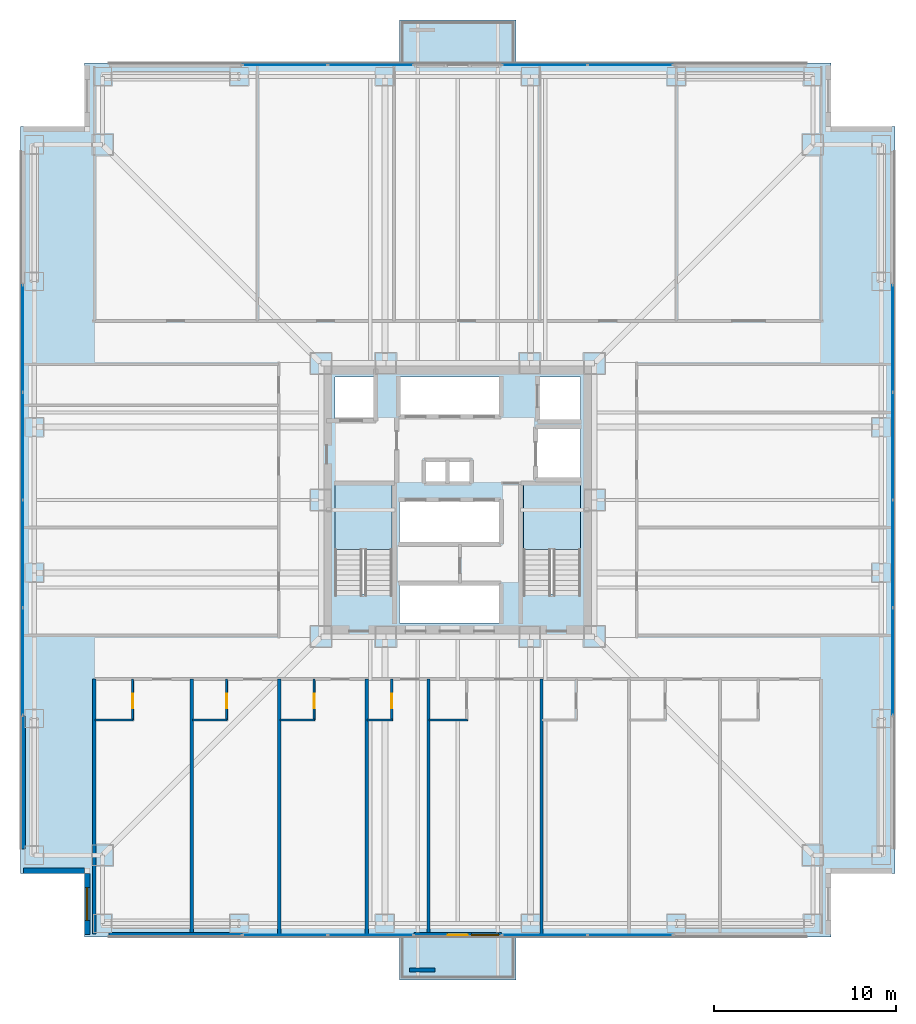
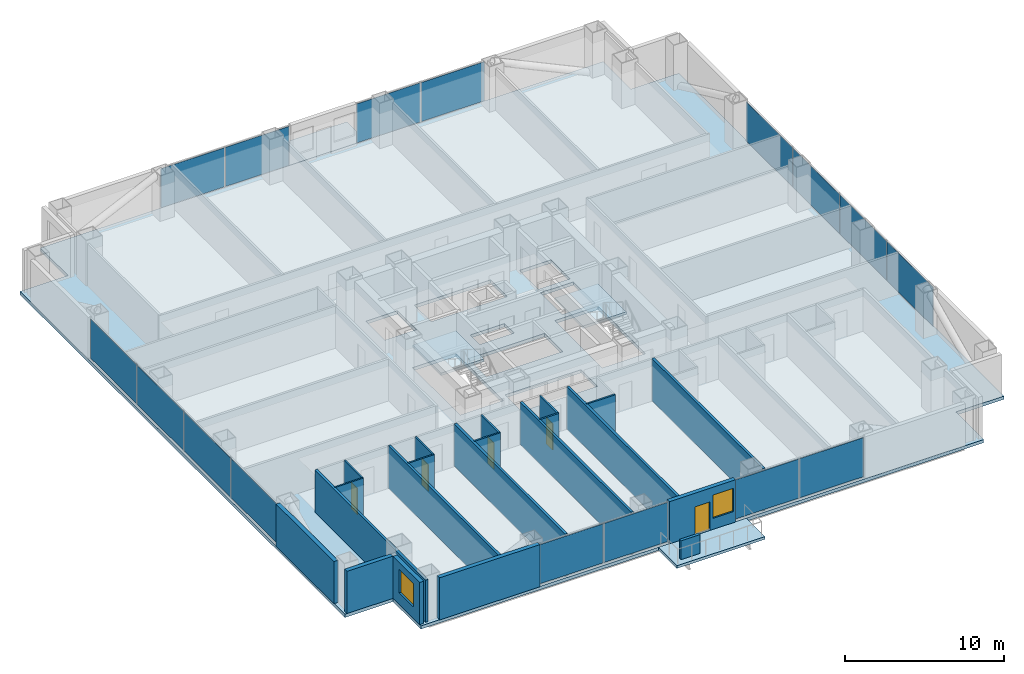
# One storey, part 10 of 16: 21 walls, 16 plates, 5 doors, 5 slabs, 2 windows, 7 openings, 8 elements without a shape of their own.
"""IFC4 building model written with IfcOpenShell, lengths in metres."""

from ifc_helpers import new_model, si_unit, direction, frame, frame_2d, origin, origin_2d, place, context, subcontext, project, spatial, polyline, rectangle, outline, extrude, material, layer, layer_set, type_object, element, fill, aggregate, save


model = new_model("IFC4")

# Units and contexts
model_context = context("Model", 3, precision=1e-05, world=origin(), true_north=direction((0.0, 1.0)))
body_context = subcontext(model_context, "Body", "Model", "MODEL_VIEW")
ifc_project = project(units=[si_unit("LENGTHUNIT", "METRE"), si_unit("AREAUNIT", "SQUARE_METRE"), si_unit("VOLUMEUNIT", "CUBIC_METRE"), si_unit("PLANEANGLEUNIT", "RADIAN"), si_unit("MASSUNIT", "GRAM", prefix="KILO")], contexts=[model_context])

# Site, building, storey
site_placement = place(None, origin())
site = spatial("IfcSite", under=ifc_project, at=site_placement, CompositionType="ELEMENT")
building_placement = place(site_placement, origin())
building = spatial("IfcBuilding", under=site, at=building_placement, Name="Trevonay Congress Spire", CompositionType="ELEMENT")
storey_placement = place(building_placement, frame((0.0, 0.0, 65.5)))
storey = spatial("IfcBuildingStorey", under=building, at=storey_placement, Name="L16", CompositionType="ELEMENT", Elevation=65.5)

# Curtain wall, plates
ifc_material_1 = material(Name="Pale Anodised Aluminium EN AW-6063-T6", Category="aluminium")
ifc_layer_1 = layer(ifc_material_1, 0.179931640625, Name="Pale Anodised Aluminium EN AW-6063-T6")
ifc_layer_set_1 = layer_set([ifc_layer_1], Name="Pale Anodised Aluminium EN AW-6063-T6")
curtain_wall_type = type_object("IfcCurtainWallType", Name="CW-SYS02-HOTEL-PALE-METAL", PredefinedType="NOTDEFINED", material=ifc_layer_set_1)
curtain_wall_1_placement = place(storey_placement, origin())
curtain_wall_1 = element("IfcCurtainWall", 1, at=curtain_wall_1_placement, inside=storey, type_object=curtain_wall_type, Name="L16 SA unitised curtain wall", PredefinedType="NOTDEFINED")
ifc_material_2 = material(Name="Insulated Low-E Vision Glass IGU", Category="glass")
ifc_layer_2 = layer(ifc_material_2, 0.035888671875, Name="Insulated Low-E Vision Glass IGU")
ifc_layer_set_2 = layer_set([ifc_layer_2], Name="Insulated Low-E Vision Glass IGU")
plate_type = type_object("IfcPlateType", Name="CW-PANEL-IGU36-SILVER", PredefinedType="CURTAIN_PANEL", material=ifc_layer_set_2)
plate_1_placement = place(storey_placement, frame((-9.472412109375, -23.8798828125, 0.1201171875), z_axis=(0.0, 0.0, 1.0), x_axis=(1.0, 0.0, 0.0)))
plate_1 = element("IfcPlate", 2, at=plate_1_placement, type_object=plate_type, Name="CW02 panel 1.1", PredefinedType="CURTAIN_PANEL", context=body_context, shape_type="SweptSolid", body=[
    extrude(rectangle(XDim=4.635009765625, YDim=0.035888671875, at=origin_2d()), origin(), (0.0, 0.0, 1.0), 3.010009765625),
])
plate_2_placement = place(storey_placement, frame((-4.777587890625, -23.8798828125, 0.1201171875), z_axis=(0.0, 0.0, 1.0), x_axis=(1.0, 0.0, 0.0)))
plate_2 = element("IfcPlate", 3, at=plate_2_placement, type_object=plate_type, Name="CW02 panel 2.1", PredefinedType="CURTAIN_PANEL", context=body_context, shape_type="SweptSolid", body=[
    extrude(rectangle(XDim=4.635009765625, YDim=0.035888671875, at=origin_2d()), origin(), (0.0, 0.0, 1.0), 3.010009765625),
])
aggregate(curtain_wall_1, [plate_1, plate_2])

curtain_wall_2_placement = place(storey_placement, origin())
curtain_wall_2 = element("IfcCurtainWall", 4, at=curtain_wall_2_placement, inside=storey, type_object=curtain_wall_type, Name="L16 SB unitised curtain wall", PredefinedType="NOTDEFINED")
plate_3_placement = place(storey_placement, frame((4.777587890625, -23.8798828125, 0.1201171875), z_axis=(0.0, 0.0, 1.0), x_axis=(1.0, 0.0, 0.0)))
plate_3 = element("IfcPlate", 5, at=plate_3_placement, type_object=plate_type, Name="CW02 panel 1.1", PredefinedType="CURTAIN_PANEL", context=body_context, shape_type="SweptSolid", body=[
    extrude(rectangle(XDim=4.635009765625, YDim=0.035888671875, at=origin_2d()), origin(), (0.0, 0.0, 1.0), 3.010009765625),
])
plate_4_placement = place(storey_placement, frame((9.472412109375, -23.8798828125, 0.1201171875), z_axis=(0.0, 0.0, 1.0), x_axis=(1.0, 0.0, 0.0)))
plate_4 = element("IfcPlate", 6, at=plate_4_placement, type_object=plate_type, Name="CW02 panel 2.1", PredefinedType="CURTAIN_PANEL", context=body_context, shape_type="SweptSolid", body=[
    extrude(rectangle(XDim=4.635009765625, YDim=0.035888671875, at=origin_2d()), origin(), (0.0, 0.0, 1.0), 3.010009765625),
])
aggregate(curtain_wall_2, [plate_3, plate_4])

curtain_wall_3_placement = place(storey_placement, origin())
curtain_wall_3 = element("IfcCurtainWall", 7, at=curtain_wall_3_placement, inside=storey, type_object=curtain_wall_type, Name="L16 NA unitised curtain wall", PredefinedType="NOTDEFINED")
plate_5_placement = place(storey_placement, frame((-9.472412109375, 23.8798828125, 0.1201171875), z_axis=(0.0, 0.0, 1.0), x_axis=(1.0, 0.0, 0.0)))
plate_5 = element("IfcPlate", 8, at=plate_5_placement, type_object=plate_type, Name="CW02 panel 1.1", PredefinedType="CURTAIN_PANEL", context=body_context, shape_type="SweptSolid", body=[
    extrude(rectangle(XDim=4.635009765625, YDim=0.035888671875, at=origin_2d()), origin(), (0.0, 0.0, 1.0), 3.010009765625),
])
plate_6_placement = place(storey_placement, frame((-4.777587890625, 23.8798828125, 0.1201171875), z_axis=(0.0, 0.0, 1.0), x_axis=(1.0, 0.0, 0.0)))
plate_6 = element("IfcPlate", 9, at=plate_6_placement, type_object=plate_type, Name="CW02 panel 2.1", PredefinedType="CURTAIN_PANEL", context=body_context, shape_type="SweptSolid", body=[
    extrude(rectangle(XDim=4.635009765625, YDim=0.035888671875, at=origin_2d()), origin(), (0.0, 0.0, 1.0), 3.010009765625),
])
aggregate(curtain_wall_3, [plate_5, plate_6])

curtain_wall_4_placement = place(storey_placement, origin())
curtain_wall_4 = element("IfcCurtainWall", 10, at=curtain_wall_4_placement, inside=storey, type_object=curtain_wall_type, Name="L16 NB unitised curtain wall", PredefinedType="NOTDEFINED")
plate_7_placement = place(storey_placement, frame((4.777587890625, 23.8798828125, 0.1201171875), z_axis=(0.0, 0.0, 1.0), x_axis=(1.0, 0.0, 0.0)))
plate_7 = element("IfcPlate", 11, at=plate_7_placement, type_object=plate_type, Name="CW02 panel 1.1", PredefinedType="CURTAIN_PANEL", context=body_context, shape_type="SweptSolid", body=[
    extrude(rectangle(XDim=4.635009765625, YDim=0.035888671875, at=origin_2d()), origin(), (0.0, 0.0, 1.0), 3.010009765625),
])
plate_8_placement = place(storey_placement, frame((9.472412109375, 23.8798828125, 0.1201171875), z_axis=(0.0, 0.0, 1.0), x_axis=(1.0, 0.0, 0.0)))
plate_8 = element("IfcPlate", 12, at=plate_8_placement, type_object=plate_type, Name="CW02 panel 2.1", PredefinedType="CURTAIN_PANEL", context=body_context, shape_type="SweptSolid", body=[
    extrude(rectangle(XDim=4.635009765625, YDim=0.035888671875, at=origin_2d()), origin(), (0.0, 0.0, 1.0), 3.010009765625),
])
aggregate(curtain_wall_4, [plate_7, plate_8])

curtain_wall_5_placement = place(storey_placement, origin())
curtain_wall_5 = element("IfcCurtainWall", 13, at=curtain_wall_5_placement, inside=storey, type_object=curtain_wall_type, Name="L16 W unitised curtain wall", PredefinedType="NOTDEFINED")
plate_9_placement = place(storey_placement, frame((-23.8798828125, -8.87255859375, 0.1201171875), z_axis=(0.0, 0.0, 1.0), x_axis=(0.0, 1.0, 0.0)))
plate_9 = element("IfcPlate", 14, at=plate_9_placement, type_object=plate_type, Name="CW02 panel 1.1", PredefinedType="CURTAIN_PANEL", context=body_context, shape_type="SweptSolid", body=[
    extrude(rectangle(XDim=5.8349609375, YDim=0.035888671875, at=origin_2d()), origin(), (0.0, 0.0, 1.0), 3.010009765625),
])
plate_10_placement = place(storey_placement, frame((-23.8798828125, -2.96240234375, 0.1201171875), z_axis=(0.0, 0.0, 1.0), x_axis=(0.0, 1.0, 0.0)))
plate_10 = element("IfcPlate", 15, at=plate_10_placement, type_object=plate_type, Name="CW02 panel 2.1", PredefinedType="CURTAIN_PANEL", context=body_context, shape_type="SweptSolid", body=[
    extrude(rectangle(XDim=5.864990234375, YDim=0.035888671875, at=origin_2d()), origin(), (0.0, 0.0, 1.0), 3.010009765625),
])
plate_11_placement = place(storey_placement, frame((-23.8798828125, 2.96240234375, 0.1201171875), z_axis=(0.0, 0.0, 1.0), x_axis=(0.0, 1.0, 0.0)))
plate_11 = element("IfcPlate", 16, at=plate_11_placement, type_object=plate_type, Name="CW02 panel 3.1", PredefinedType="CURTAIN_PANEL", context=body_context, shape_type="SweptSolid", body=[
    extrude(rectangle(XDim=5.864990234375, YDim=0.035888671875, at=origin_2d()), origin(), (0.0, 0.0, 1.0), 3.010009765625),
])
plate_12_placement = place(storey_placement, frame((-23.8798828125, 8.87255859375, 0.1201171875), z_axis=(0.0, 0.0, 1.0), x_axis=(0.0, 1.0, 0.0)))
plate_12 = element("IfcPlate", 17, at=plate_12_placement, type_object=plate_type, Name="CW02 panel 4.1", PredefinedType="CURTAIN_PANEL", context=body_context, shape_type="SweptSolid", body=[
    extrude(rectangle(XDim=5.8349609375, YDim=0.035888671875, at=origin_2d()), origin(), (0.0, 0.0, 1.0), 3.010009765625),
])
aggregate(curtain_wall_5, [plate_9, plate_10, plate_11, plate_12])

curtain_wall_6_placement = place(storey_placement, origin())
curtain_wall_6 = element("IfcCurtainWall", 18, at=curtain_wall_6_placement, inside=storey, type_object=curtain_wall_type, Name="L16 E unitised curtain wall", PredefinedType="NOTDEFINED")
plate_13_placement = place(storey_placement, frame((23.8798828125, -8.87255859375, 0.1201171875), z_axis=(0.0, 0.0, 1.0), x_axis=(0.0, 1.0, 0.0)))
plate_13 = element("IfcPlate", 19, at=plate_13_placement, type_object=plate_type, Name="CW02 panel 1.1", PredefinedType="CURTAIN_PANEL", context=body_context, shape_type="SweptSolid", body=[
    extrude(rectangle(XDim=5.8349609375, YDim=0.035888671875, at=origin_2d()), origin(), (0.0, 0.0, 1.0), 3.010009765625),
])
plate_14_placement = place(storey_placement, frame((23.8798828125, -2.96240234375, 0.1201171875), z_axis=(0.0, 0.0, 1.0), x_axis=(0.0, 1.0, 0.0)))
plate_14 = element("IfcPlate", 20, at=plate_14_placement, type_object=plate_type, Name="CW02 panel 2.1", PredefinedType="CURTAIN_PANEL", context=body_context, shape_type="SweptSolid", body=[
    extrude(rectangle(XDim=5.864990234375, YDim=0.035888671875, at=origin_2d()), origin(), (0.0, 0.0, 1.0), 3.010009765625),
])
plate_15_placement = place(storey_placement, frame((23.8798828125, 2.96240234375, 0.1201171875), z_axis=(0.0, 0.0, 1.0), x_axis=(0.0, 1.0, 0.0)))
plate_15 = element("IfcPlate", 21, at=plate_15_placement, type_object=plate_type, Name="CW02 panel 3.1", PredefinedType="CURTAIN_PANEL", context=body_context, shape_type="SweptSolid", body=[
    extrude(rectangle(XDim=5.864990234375, YDim=0.035888671875, at=origin_2d()), origin(), (0.0, 0.0, 1.0), 3.010009765625),
])
plate_16_placement = place(storey_placement, frame((23.8798828125, 8.87255859375, 0.1201171875), z_axis=(0.0, 0.0, 1.0), x_axis=(0.0, 1.0, 0.0)))
plate_16 = element("IfcPlate", 22, at=plate_16_placement, type_object=plate_type, Name="CW02 panel 4.1", PredefinedType="CURTAIN_PANEL", context=body_context, shape_type="SweptSolid", body=[
    extrude(rectangle(XDim=5.8349609375, YDim=0.035888671875, at=origin_2d()), origin(), (0.0, 0.0, 1.0), 3.010009765625),
])
aggregate(curtain_wall_6, [plate_13, plate_14, plate_15, plate_16])

# Stair, slab
ifc_material_3 = material(Name="Concrete C40/50", Category="concrete")
stair_type_1 = type_object("IfcStairType", Name="STR-ST-1", PredefinedType="HALF_TURN_STAIR", material=ifc_material_3)
stair_1_placement = place(storey_placement, origin())
stair_1 = element("IfcStair", 23, at=stair_1_placement, inside=storey, type_object=stair_type_1, Name="L16 Protected Exit Stair ST-1", PredefinedType="HALF_TURN_STAIR")
ifc_layer_3 = layer(ifc_material_3, 0.199951171875, Name="Concrete C40/50")
ifc_layer_set_3 = layer_set([ifc_layer_3], Name="Concrete C40/50")
slab_type_1 = type_object("IfcSlabType", Name="SLB-STAIR-LAND-200", PredefinedType="LANDING", material=ifc_layer_set_3)
slab_1_placement = place(storey_placement, frame((0.0, 0.0, 1.550048828125)))
slab_1 = element("IfcSlab", 24, at=slab_1_placement, type_object=slab_type_1, Name="ST-1 landing 1", PredefinedType="LANDING", context=body_context, shape_type="SweptSolid", body=[
    extrude(outline(polyline([(-3.60009765625, -2.72998046875), (-3.60009765625, 0.85009765625), (-6.75, 0.85009765625), (-6.75, -2.72998046875), (-3.60009765625, -2.72998046875)])), origin(), (0.0, 0.0, 1.0), 0.199951171875),
])
aggregate(stair_1, [slab_1])

stair_type_2 = type_object("IfcStairType", Name="STR-ST-2", PredefinedType="HALF_TURN_STAIR", material=ifc_material_3)
stair_2_placement = place(storey_placement, origin())
stair_2 = element("IfcStair", 25, at=stair_2_placement, inside=storey, type_object=stair_type_2, Name="L16 Protected Exit Stair ST-2", PredefinedType="HALF_TURN_STAIR")
slab_2_placement = place(storey_placement, frame((0.0, 0.0, 1.550048828125)))
slab_2 = element("IfcSlab", 26, at=slab_2_placement, type_object=slab_type_1, Name="ST-2 landing 1", PredefinedType="LANDING", context=body_context, shape_type="SweptSolid", body=[
    extrude(outline(polyline([(6.75, -2.72998046875), (6.75, 0.85009765625), (3.60009765625, 0.85009765625), (3.60009765625, -2.72998046875), (6.75, -2.72998046875)])), origin(), (0.0, 0.0, 1.0), 0.199951171875),
])
aggregate(stair_2, [slab_2])

# Slabs
ifc_layer_4 = layer(ifc_material_3, 0.25, Name="Concrete C40/50")
ifc_layer_set_4 = layer_set([ifc_layer_4], Name="Concrete C40/50")
slab_type_2 = type_object("IfcSlabType", Name="SLB-TOW1-250", PredefinedType="FLOOR", material=ifc_layer_set_4)
slab_3_placement = place(storey_placement, frame((0.0, 0.0, -0.25)))
element("IfcSlab", 27, at=slab_3_placement, inside=storey, type_object=slab_type_2, Name="L16 structural floor slab", PredefinedType="FLOOR", context=body_context, shape_type="SweptSolid", body=[
    extrude(outline(polyline([(-20.5, -24.0), (20.5, -24.0), (20.5, -20.5), (24.0, -20.5), (24.0, 20.5), (20.5, 20.5), (20.5, 24.0), (-20.5, 24.0), (-20.5, 20.5), (-24.0, 20.5), (-24.0, -20.5), (-20.5, -20.5), (-20.5, -24.0)]), holes=[polyline([(-3.60009765625, -5.14990234375), (-3.60009765625, 0.85009765625), (-6.75, 0.85009765625), (-6.75, -5.14990234375), (-3.60009765625, -5.14990234375)]), polyline([(6.75, -5.14990234375), (6.75, 0.85009765625), (3.60009765625, 0.85009765625), (3.60009765625, -5.14990234375), (6.75, -5.14990234375)]), polyline([(-3.199951171875, -6.75), (2.340087890625, -6.75), (2.340087890625, -4.64990234375), (-3.199951171875, -4.64990234375), (-3.199951171875, -6.75)]), polyline([(-3.199951171875, -2.35009765625), (2.340087890625, -2.35009765625), (2.340087890625, -0.050048828125), (-3.199951171875, -0.050048828125), (-3.199951171875, -2.35009765625)]), polyline([(-3.199951171875, 4.64990234375), (2.340087890625, 4.64990234375), (2.340087890625, 6.75), (-3.199951171875, 6.75), (-3.199951171875, 4.64990234375)]), polyline([(-6.75, 4.35009765625), (-4.449951171875, 4.35009765625), (-4.449951171875, 6.75), (-6.75, 6.75), (-6.75, 4.35009765625)]), polyline([(4.449951171875, 4.35009765625), (6.75, 4.35009765625), (6.75, 6.75), (4.449951171875, 6.75), (4.449951171875, 4.35009765625)]), polyline([(4.35009765625, 1.199951171875), (6.75, 1.199951171875), (6.75, 3.949951171875), (4.35009765625, 3.949951171875), (4.35009765625, 1.199951171875)]), polyline([(-1.800048828125, 0.949951171875), (0.699951171875, 0.949951171875), (0.699951171875, 2.14990234375), (-1.800048828125, 2.14990234375), (-1.800048828125, 0.949951171875)])]), origin(), (0.0, 0.0, 1.0), 0.25),
])
ifc_layer_5 = layer(ifc_material_3, 0.2099609375, Name="Concrete C40/50")
ifc_layer_set_5 = layer_set([ifc_layer_5], Name="Concrete C40/50")
slab_type_3 = type_object("IfcSlabType", Name="SLB-TREEBAL-210", PredefinedType="FLOOR", material=ifc_layer_set_5)
slab_4_placement = place(storey_placement, frame((0.0, 0.0, -0.2099609375)))
element("IfcSlab", 28, at=slab_4_placement, inside=storey, type_object=slab_type_3, Name="L16 cantilevered tree-planter balcony pod S", PredefinedType="FLOOR", context=body_context, shape_type="SweptSolid", body=[
    extrude(outline(polyline([(-3.199951171875, -26.35009765625), (3.199951171875, -26.35009765625), (3.199951171875, -24.0), (-3.199951171875, -24.0), (-3.199951171875, -26.35009765625)])), origin(), (0.0, 0.0, 1.0), 0.2099609375),
])
slab_5_placement = place(storey_placement, frame((0.0, 0.0, -0.2099609375)))
element("IfcSlab", 29, at=slab_5_placement, inside=storey, type_object=slab_type_3, Name="L16 cantilevered tree-planter balcony pod N", PredefinedType="FLOOR", context=body_context, shape_type="SweptSolid", body=[
    extrude(outline(polyline([(-3.199951171875, 24.0), (3.199951171875, 24.0), (3.199951171875, 26.35009765625), (-3.199951171875, 26.35009765625), (-3.199951171875, 24.0)])), origin(), (0.0, 0.0, 1.0), 0.2099609375),
])

# Wall, opening, door
ifc_layer_6 = layer(ifc_material_3, 0.1201171875, Name="Concrete C40/50")
ifc_layer_set_6 = layer_set([ifc_layer_6], Name="Concrete C40/50")
wall_type_1 = type_object("IfcWallType", Name="WAL-BATH-120", PredefinedType="PLUMBINGWALL", material=ifc_layer_set_6)
wall_1_placement = place(storey_placement, frame((-17.85009765625, -12.080078125, 0.0), z_axis=(0.0, 0.0, 1.0), x_axis=(0.0, 1.0, 0.0)))
wall_1 = element("IfcWall", 30, at=wall_1_placement, inside=storey, type_object=wall_type_1, Name="L16 interior wall WH-L16S-BS1", PredefinedType="PLUMBINGWALL", context=body_context, shape_type="SweptSolid", body=[
    extrude(rectangle(XDim=2.25, YDim=0.1201171875, at=frame_2d((1.125, 0.0))), origin(), (0.0, 0.0, 1.0), 3.25),
])
opening_1_placement = place(wall_1_placement, frame((0.64990234375, 0.0, 0.0)))
opening_1 = element("IfcOpeningElement", 31, at=opening_1_placement, cuts=wall_1, Name="Opening D11", PredefinedType="OPENING", context=body_context, shape_type="SweptSolid", body=[
    extrude(rectangle(XDim=0.800048828125, YDim=2.050048828125, at=frame_2d((0.39990234375, 1.02490234375))), frame((0.0, 0.070068359375, 0.0), z_axis=(0.0, -1.0, 0.0), x_axis=(1.0, 0.0, 0.0)), (0.0, 0.0, 1.0), 0.14013671875),
])
door_type_1 = type_object("IfcDoorType", Name="DOR-BATH-80", OperationType="NOTDEFINED", PredefinedType="DOOR", material=ifc_material_1)
door_1_placement = place(opening_1_placement, origin())
door_1 = element("IfcDoor", 32, at=door_1_placement, inside=storey, type_object=door_type_1, Name="L16 En-suite Bathroom Door", OperationType="SINGLE_SWING_LEFT", OverallHeight=2.050048828125, OverallWidth=0.800048828125, PredefinedType="DOOR", context=body_context, shape_type="SweptSolid", body=[
    extrude(rectangle(XDim=0.800048828125, YDim=2.050048828125, at=frame_2d((0.39990234375, 1.02490234375))), frame((0.0, 0.02490234375, 0.0), z_axis=(0.0, -1.0, 0.0), x_axis=(1.0, 0.0, 0.0)), (0.0, 0.0, 1.0), 0.050048828125),
])
fill(opening_1, door_1)

# Wall
wall_2_placement = place(storey_placement, frame((-19.919921875, -12.080078125, 0.0), z_axis=(0.0, 0.0, 1.0), x_axis=(1.0, 0.0, 0.0)))
element("IfcWall", 33, at=wall_2_placement, inside=storey, type_object=wall_type_1, Name="L16 interior wall WH-L16S-BF1", PredefinedType="PLUMBINGWALL", context=body_context, shape_type="SweptSolid", body=[
    extrude(rectangle(XDim=2.099853515625, YDim=0.1201171875, at=frame_2d((1.0498046875, 0.0))), origin(), (0.0, 0.0, 1.0), 3.25),
])

# Wall, opening, door
wall_3_placement = place(storey_placement, frame((-12.68701171875, -12.080078125, 0.0), z_axis=(0.0, 0.0, 1.0), x_axis=(0.0, 1.0, 0.0)))
wall_3 = element("IfcWall", 34, at=wall_3_placement, inside=storey, type_object=wall_type_1, Name="L16 interior wall WH-L16S-BS2", PredefinedType="PLUMBINGWALL", context=body_context, shape_type="SweptSolid", body=[
    extrude(rectangle(XDim=2.25, YDim=0.1201171875, at=frame_2d((1.125, 0.0))), origin(), (0.0, 0.0, 1.0), 3.25),
])
opening_2_placement = place(wall_3_placement, frame((0.64990234375, 0.0, 0.0)))
opening_2 = element("IfcOpeningElement", 35, at=opening_2_placement, cuts=wall_3, Name="Opening D11", PredefinedType="OPENING", context=body_context, shape_type="SweptSolid", body=[
    extrude(rectangle(XDim=0.800048828125, YDim=2.050048828125, at=frame_2d((0.39990234375, 1.02490234375))), frame((0.0, 0.070068359375, 0.0), z_axis=(0.0, -1.0, 0.0), x_axis=(1.0, 0.0, 0.0)), (0.0, 0.0, 1.0), 0.14013671875),
])
door_2_placement = place(opening_2_placement, origin())
door_2 = element("IfcDoor", 36, at=door_2_placement, inside=storey, type_object=door_type_1, Name="L16 En-suite Bathroom Door", OperationType="SINGLE_SWING_RIGHT", OverallHeight=2.050048828125, OverallWidth=0.800048828125, PredefinedType="DOOR", context=body_context, shape_type="SweptSolid", body=[
    extrude(rectangle(XDim=0.800048828125, YDim=2.050048828125, at=frame_2d((0.39990234375, 1.02490234375))), frame((0.0, 0.02490234375, 0.0), z_axis=(0.0, -1.0, 0.0), x_axis=(1.0, 0.0, 0.0)), (0.0, 0.0, 1.0), 0.050048828125),
])
fill(opening_2, door_2)

# Wall
wall_4_placement = place(storey_placement, frame((-14.570068359375, -12.080078125, 0.0), z_axis=(0.0, 0.0, 1.0), x_axis=(1.0, 0.0, 0.0)))
element("IfcWall", 37, at=wall_4_placement, inside=storey, type_object=wall_type_1, Name="L16 interior wall WH-L16S-BF2", PredefinedType="PLUMBINGWALL", context=body_context, shape_type="SweptSolid", body=[
    extrude(rectangle(XDim=1.9130859375, YDim=0.1201171875, at=frame_2d((0.95654296875, 0.0))), origin(), (0.0, 0.0, 1.0), 3.25),
])

# Wall, opening, door
wall_5_placement = place(storey_placement, frame((-7.886962890625, -12.080078125, 0.0), z_axis=(0.0, 0.0, 1.0), x_axis=(0.0, 1.0, 0.0)))
wall_5 = element("IfcWall", 38, at=wall_5_placement, inside=storey, type_object=wall_type_1, Name="L16 interior wall WH-L16S-BS3", PredefinedType="PLUMBINGWALL", context=body_context, shape_type="SweptSolid", body=[
    extrude(rectangle(XDim=2.25, YDim=0.1201171875, at=frame_2d((1.125, 0.0))), origin(), (0.0, 0.0, 1.0), 3.25),
])
opening_3_placement = place(wall_5_placement, frame((0.64990234375, 0.0, 0.0)))
opening_3 = element("IfcOpeningElement", 39, at=opening_3_placement, cuts=wall_5, Name="Opening D11", PredefinedType="OPENING", context=body_context, shape_type="SweptSolid", body=[
    extrude(rectangle(XDim=0.800048828125, YDim=2.050048828125, at=frame_2d((0.39990234375, 1.02490234375))), frame((0.0, 0.070068359375, 0.0), z_axis=(0.0, -1.0, 0.0), x_axis=(1.0, 0.0, 0.0)), (0.0, 0.0, 1.0), 0.14013671875),
])
door_3_placement = place(opening_3_placement, origin())
door_3 = element("IfcDoor", 40, at=door_3_placement, inside=storey, type_object=door_type_1, Name="L16 En-suite Bathroom Door", OperationType="SINGLE_SWING_LEFT", OverallHeight=2.050048828125, OverallWidth=0.800048828125, PredefinedType="DOOR", context=body_context, shape_type="SweptSolid", body=[
    extrude(rectangle(XDim=0.800048828125, YDim=2.050048828125, at=frame_2d((0.39990234375, 1.02490234375))), frame((0.0, 0.02490234375, 0.0), z_axis=(0.0, -1.0, 0.0), x_axis=(1.0, 0.0, 0.0)), (0.0, 0.0, 1.0), 0.050048828125),
])
fill(opening_3, door_3)

# Wall
wall_6_placement = place(storey_placement, frame((-9.77001953125, -12.080078125, 0.0), z_axis=(0.0, 0.0, 1.0), x_axis=(1.0, 0.0, 0.0)))
element("IfcWall", 41, at=wall_6_placement, inside=storey, type_object=wall_type_1, Name="L16 interior wall WH-L16S-BF3", PredefinedType="PLUMBINGWALL", context=body_context, shape_type="SweptSolid", body=[
    extrude(rectangle(XDim=1.9130859375, YDim=0.1201171875, at=frame_2d((0.95654296875, 0.0))), origin(), (0.0, 0.0, 1.0), 3.25),
])

# Wall, opening, door
wall_7_placement = place(storey_placement, frame((-3.618896484375, -12.080078125, 0.0), z_axis=(0.0, 0.0, 1.0), x_axis=(0.0, 1.0, 0.0)))
wall_7 = element("IfcWall", 42, at=wall_7_placement, inside=storey, type_object=wall_type_1, Name="L16 interior wall WH-L16S-BS4", PredefinedType="PLUMBINGWALL", context=body_context, shape_type="SweptSolid", body=[
    extrude(rectangle(XDim=2.25, YDim=0.1201171875, at=frame_2d((1.125, 0.0))), origin(), (0.0, 0.0, 1.0), 3.25),
])
opening_4_placement = place(wall_7_placement, frame((0.64990234375, 0.0, 0.0)))
opening_4 = element("IfcOpeningElement", 43, at=opening_4_placement, cuts=wall_7, Name="Opening D11", PredefinedType="OPENING", context=body_context, shape_type="SweptSolid", body=[
    extrude(rectangle(XDim=0.800048828125, YDim=2.050048828125, at=frame_2d((0.39990234375, 1.02490234375))), frame((0.0, 0.070068359375, 0.0), z_axis=(0.0, -1.0, 0.0), x_axis=(1.0, 0.0, 0.0)), (0.0, 0.0, 1.0), 0.14013671875),
])
door_4_placement = place(opening_4_placement, origin())
door_4 = element("IfcDoor", 44, at=door_4_placement, inside=storey, type_object=door_type_1, Name="L16 En-suite Bathroom Door", OperationType="SINGLE_SWING_RIGHT", OverallHeight=2.050048828125, OverallWidth=0.800048828125, PredefinedType="DOOR", context=body_context, shape_type="SweptSolid", body=[
    extrude(rectangle(XDim=0.800048828125, YDim=2.050048828125, at=frame_2d((0.39990234375, 1.02490234375))), frame((0.0, 0.02490234375, 0.0), z_axis=(0.0, -1.0, 0.0), x_axis=(1.0, 0.0, 0.0)), (0.0, 0.0, 1.0), 0.050048828125),
])
fill(opening_4, door_4)

# Walls
wall_8_placement = place(storey_placement, frame((-4.969970703125, -12.080078125, 0.0), z_axis=(0.0, 0.0, 1.0), x_axis=(1.0, 0.0, 0.0)))
element("IfcWall", 45, at=wall_8_placement, inside=storey, type_object=wall_type_1, Name="L16 interior wall WH-L16S-BF4", PredefinedType="PLUMBINGWALL", context=body_context, shape_type="SweptSolid", body=[
    extrude(rectangle(XDim=1.380859375, YDim=0.1201171875, at=frame_2d((0.6904296875, 0.0))), origin(), (0.0, 0.0, 1.0), 3.25),
])
wall_9_placement = place(storey_placement, frame((-1.570068359375, -12.080078125, 0.0), z_axis=(0.0, 0.0, 1.0), x_axis=(1.0, 0.0, 0.0)))
element("IfcWall", 46, at=wall_9_placement, inside=storey, type_object=wall_type_1, Name="L16 interior wall WH-L16S-BF5", PredefinedType="PLUMBINGWALL", context=body_context, shape_type="SweptSolid", body=[
    extrude(rectangle(XDim=2.10009765625, YDim=0.1201171875, at=frame_2d((1.050048828125, 0.0))), origin(), (0.0, 0.0, 1.0), 3.25),
])
ifc_material_4 = material(Name="Precast concrete C40/50", Category="concrete")
ifc_layer_7 = layer(ifc_material_4, 0.300048828125, Name="Precast concrete C40/50")
ifc_layer_set_7 = layer_set([ifc_layer_7], Name="Precast concrete C40/50")
wall_type_2 = type_object("IfcWallType", Name="WAL-EXT-PRECAST-300", PredefinedType="SOLIDWALL", material=ifc_layer_set_7)
wall_10_placement = place(storey_placement, frame((-19.14990234375, -23.8798828125, 0.0), z_axis=(0.0, 0.0, 1.0), x_axis=(1.0, 0.0, 0.0)))
element("IfcWall", 47, at=wall_10_placement, inside=storey, type_object=wall_type_2, Name="L16 SL braced-bay exterior pier wall", PredefinedType="SOLIDWALL", context=body_context, shape_type="SweptSolid", body=[
    extrude(rectangle(XDim=7.2998046875, YDim=0.300048828125, at=frame_2d((3.64990234375, 0.0))), origin(), (0.0, 0.0, 1.0), 3.25),
])

# Wall, openings, door, window
wall_11_placement = place(storey_placement, frame((-2.39990234375, -23.8798828125, 0.0), z_axis=(0.0, 0.0, 1.0), x_axis=(1.0, 0.0, 0.0)))
wall_11 = element("IfcWall", 48, at=wall_11_placement, inside=storey, type_object=wall_type_2, Name="L16 S glazed balcony portal exterior wall", PredefinedType="SOLIDWALL", context=body_context, shape_type="SweptSolid", body=[
    extrude(rectangle(XDim=4.7998046875, YDim=0.300048828125, at=frame_2d((2.39990234375, 0.0))), origin(), (0.0, 0.0, 1.0), 3.25),
])
opening_5_placement = place(wall_11_placement, frame((1.85009765625, 0.0, 0.0)))
opening_5 = element("IfcOpeningElement", 49, at=opening_5_placement, cuts=wall_11, Name="Opening D03", PredefinedType="OPENING", context=body_context, shape_type="SweptSolid", body=[
    extrude(rectangle(XDim=1.10009765625, YDim=2.199951171875, at=frame_2d((0.550048828125, 1.10009765625))), frame((0.0, 0.16015625, 0.0), z_axis=(0.0, -1.0, 0.0), x_axis=(1.0, 0.0, 0.0)), (0.0, 0.0, 1.0), 0.320068359375),
])
opening_6_placement = place(wall_11_placement, frame((3.14990234375, 0.0, 0.85009765625)))
opening_6 = element("IfcOpeningElement", 50, at=opening_6_placement, cuts=wall_11, Name="Opening WN03", PredefinedType="OPENING", context=body_context, shape_type="SweptSolid", body=[
    extrude(rectangle(XDim=1.5, YDim=1.800048828125, at=frame_2d((0.75, 0.89990234375))), frame((0.0, 0.16015625, 0.0), z_axis=(0.0, -1.0, 0.0), x_axis=(1.0, 0.0, 0.0)), (0.0, 0.0, 1.0), 0.320068359375),
])
door_type_2 = type_object("IfcDoorType", Name="DOR-EXT-BAL-110", OperationType="NOTDEFINED", PredefinedType="DOOR", material=ifc_material_1)
door_5_placement = place(opening_5_placement, origin())
door_5 = element("IfcDoor", 51, at=door_5_placement, inside=storey, type_object=door_type_2, Name="L16 S glazed outdoor terrace and balcony door", OperationType="SINGLE_SWING_LEFT", OverallHeight=2.199951171875, OverallWidth=1.10009765625, PredefinedType="DOOR", context=body_context, shape_type="SweptSolid", body=[
    extrude(rectangle(XDim=1.10009765625, YDim=2.199951171875, at=frame_2d((0.550048828125, 1.10009765625))), frame((0.0, 0.02490234375, 0.0), z_axis=(0.0, -1.0, 0.0), x_axis=(1.0, 0.0, 0.0)), (0.0, 0.0, 1.0), 0.050048828125),
])
fill(opening_5, door_5)
window_type_1 = type_object("IfcWindowType", Name="WIN-NOTCH-150X180", PartitioningType="SINGLE_PANEL", PredefinedType="WINDOW", material=ifc_material_2)
window_1_placement = place(opening_6_placement, origin())
window_1 = element("IfcWindow", 52, at=window_1_placement, inside=storey, type_object=window_type_1, Name="L16 S balcony sidelight window R", OverallHeight=1.800048828125, OverallWidth=1.5, PartitioningType="SINGLE_PANEL", PredefinedType="WINDOW", context=body_context, shape_type="SweptSolid", body=[
    extrude(rectangle(XDim=1.5, YDim=1.800048828125, at=frame_2d((0.75, 0.89990234375))), frame((0.0, 0.030029296875, 0.0), z_axis=(0.0, -1.0, 0.0), x_axis=(1.0, 0.0, 0.0)), (0.0, 0.0, 1.0), 0.06005859375),
])
fill(opening_6, window_1)

# Wall
wall_12_placement = place(storey_placement, frame((-23.8798828125, -19.14990234375, 0.0), z_axis=(0.0, 0.0, 1.0), x_axis=(0.0, 1.0, 0.0)))
element("IfcWall", 53, at=wall_12_placement, inside=storey, type_object=wall_type_2, Name="L16 WL braced-bay exterior pier wall", PredefinedType="SOLIDWALL", context=body_context, shape_type="SweptSolid", body=[
    extrude(rectangle(XDim=7.2998046875, YDim=0.300048828125, at=frame_2d((3.64990234375, 0.0))), origin(), (0.0, 0.0, 1.0), 3.25),
])

# Wall, opening, window
wall_13_placement = place(storey_placement, frame((-20.35009765625, -23.85009765625, 0.0), z_axis=(0.0, 0.0, 1.0), x_axis=(0.0, 1.0, 0.0)))
wall_13 = element("IfcWall", 54, at=wall_13_placement, inside=storey, type_object=wall_type_2, Name="L16 SW re-entrant notch exterior wall 1", PredefinedType="SOLIDWALL", context=body_context, shape_type="SweptSolid", body=[
    extrude(rectangle(XDim=3.35009765625, YDim=0.300048828125, at=frame_2d((1.675048828125, 0.0))), origin(), (0.0, 0.0, 1.0), 3.25),
])
opening_7_placement = place(wall_13_placement, frame((0.77490234375, 0.0, 0.89990234375)))
opening_7 = element("IfcOpeningElement", 55, at=opening_7_placement, cuts=wall_13, Name="Opening WN01", PredefinedType="OPENING", context=body_context, shape_type="SweptSolid", body=[
    extrude(rectangle(XDim=1.800048828125, YDim=1.800048828125, at=frame_2d((0.89990234375, 0.89990234375))), frame((0.0, 0.16015625, 0.0), z_axis=(0.0, -1.0, 0.0), x_axis=(1.0, 0.0, 0.0)), (0.0, 0.0, 1.0), 0.320068359375),
])
window_type_2 = type_object("IfcWindowType", Name="WIN-HOTEL-180X180", PartitioningType="SINGLE_PANEL", PredefinedType="WINDOW", material=ifc_material_2)
window_2_placement = place(opening_7_placement, origin())
window_2 = element("IfcWindow", 56, at=window_2_placement, inside=storey, type_object=window_type_2, Name="L16 SW corner notch window", OverallHeight=1.800048828125, OverallWidth=1.800048828125, PartitioningType="SINGLE_PANEL", PredefinedType="WINDOW", context=body_context, shape_type="SweptSolid", body=[
    extrude(rectangle(XDim=1.800048828125, YDim=1.800048828125, at=frame_2d((0.89990234375, 0.89990234375))), frame((0.0, 0.030029296875, 0.0), z_axis=(0.0, -1.0, 0.0), x_axis=(1.0, 0.0, 0.0)), (0.0, 0.0, 1.0), 0.06005859375),
])
fill(opening_7, window_2)

# Walls
wall_14_placement = place(storey_placement, frame((-23.85009765625, -20.35009765625, 0.0), z_axis=(0.0, 0.0, 1.0), x_axis=(1.0, 0.0, 0.0)))
element("IfcWall", 57, at=wall_14_placement, inside=storey, type_object=wall_type_2, Name="L16 SW re-entrant notch exterior wall 2", PredefinedType="SOLIDWALL", context=body_context, shape_type="SweptSolid", body=[
    extrude(rectangle(XDim=3.35009765625, YDim=0.300048828125, at=frame_2d((1.675048828125, 0.0))), origin(), (0.0, 0.0, 1.0), 3.25),
])
ifc_layer_8 = layer(ifc_material_3, 0.179931640625, Name="Concrete C40/50")
ifc_layer_set_8 = layer_set([ifc_layer_8], Name="Concrete C40/50")
wall_type_3 = type_object("IfcWallType", Name="WAL-HOTEL-180", PredefinedType="PARTITIONING", material=ifc_layer_set_8)
for number, where, z_axis, x_axis, name in (
    (58, (-19.949951171875, -23.820068359375, 0.0), (0.0, 0.0, 1.0), (0.0, 1.0, 0.0), "L16 interior wall WH-L16S-DIV1"),
    (59, (-14.60009765625, -23.820068359375, 0.0), (0.0, 0.0, 1.0), (0.0, 1.0, 0.0), "L16 interior wall WH-L16S-DIV2"),
    (60, (-9.800048828125, -23.820068359375, 0.0), (0.0, 0.0, 1.0), (0.0, 1.0, 0.0), "L16 interior wall WH-L16S-DIV3"),
    (61, (-5.0, -23.820068359375, 0.0), (0.0, 0.0, 1.0), (0.0, 1.0, 0.0), "L16 interior wall WH-L16S-DIV4"),
    (62, (-1.60009765625, -23.820068359375, 0.0), (0.0, 0.0, 1.0), (0.0, 1.0, 0.0), "L16 interior wall WH-L16S-DIV5"),
    (63, (4.60009765625, -23.820068359375, 0.0), (0.0, 0.0, 1.0), (0.0, 1.0, 0.0), "L16 interior wall WH-L16S-DIV6"),
):
    element("IfcWall", number, at=place(storey_placement, frame(where, z_axis=z_axis, x_axis=x_axis)), inside=storey, type_object=wall_type_3, Name=name, PredefinedType="PARTITIONING", context=body_context, shape_type="SweptSolid", body=[
        extrude(rectangle(XDim=13.989990234375, YDim=0.179931640625, at=frame_2d((6.9951171875, 0.0))), origin(), (0.0, 0.0, 1.0), 3.25),
    ])
ifc_layer_9 = layer(ifc_material_4, 0.199951171875, Name="Precast concrete C40/50")
ifc_layer_set_9 = layer_set([ifc_layer_9], Name="Precast concrete C40/50")
wall_type_4 = type_object("IfcWallType", Name="WAL-TREE-PLANTER-200", PredefinedType="PARAPET", material=ifc_layer_set_9)
wall_15_placement = place(storey_placement, frame((-2.64990234375, -25.800048828125, 0.0), z_axis=(0.0, 0.0, 1.0), x_axis=(1.0, 0.0, 0.0)))
element("IfcWall", 64, at=wall_15_placement, inside=storey, type_object=wall_type_4, Name="L16 S cantilevered balcony tree planter box", PredefinedType="PARAPET", context=body_context, shape_type="SweptSolid", body=[
    extrude(rectangle(XDim=1.39990234375, YDim=0.199951171875, at=frame_2d((0.699951171875, 0.0))), origin(), (0.0, 0.0, 1.0), 1.449951171875),
])

save(model, "model.ifc")
